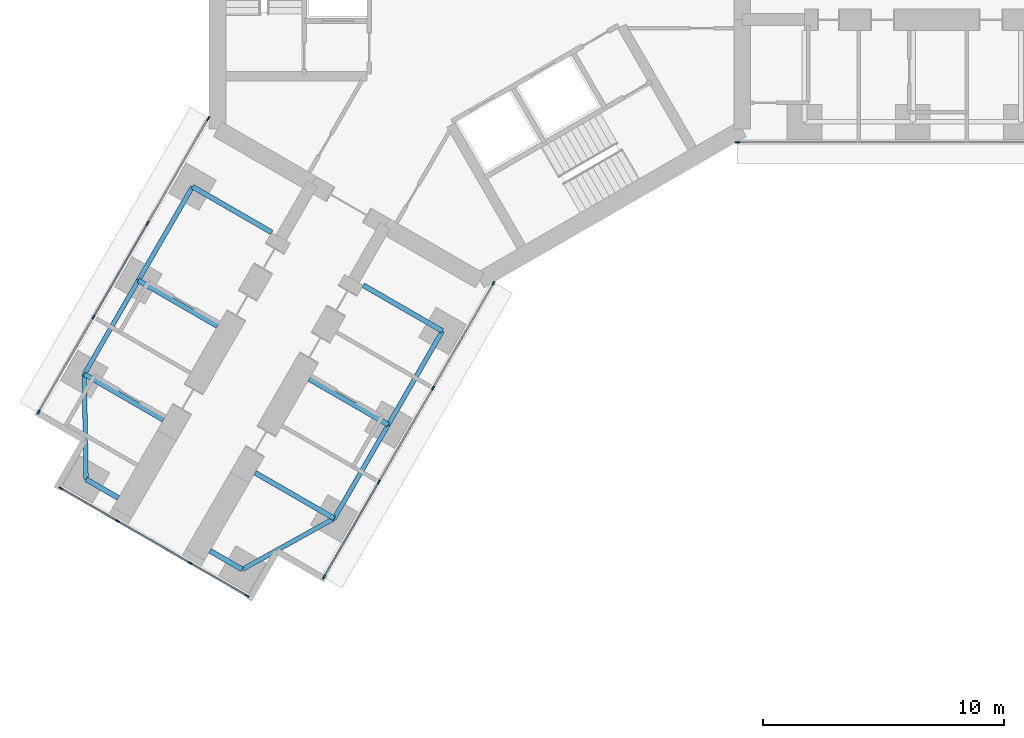
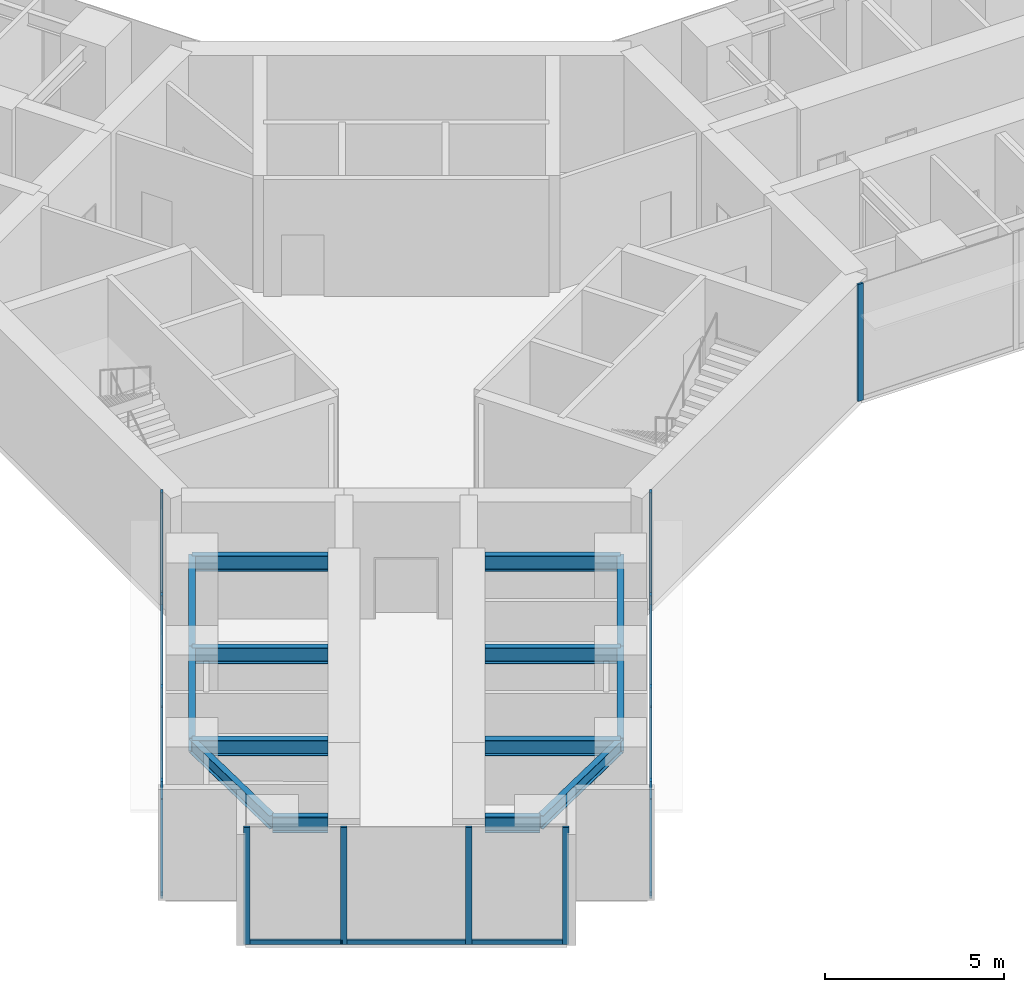
# One storey, part 2 of 24: 22 members, 14 beams, 4 elements without a shape of their own.
"""IFC4 building model written with IfcOpenShell, lengths in metres."""

import ifcopenshell
import ifcopenshell.guid

model = None  # the IFC model being written
_history = None  # IfcOwnerHistory: only IFC2X3 demands one
_inside = {}  # id of a spatial element -> (the spatial element, [elements in it])
_under = {}  # id of a project, library or spatial element -> (it, [spatial elements below it])
_declared = {}  # id of a project -> (the project, [libraries it declares])
_typed = {}  # id of a type object -> (the type object, [elements of that type])
_made_of = {}  # id of a material, layer set ... -> (it, [elements and type objects made of it])


def new_model(schema):
    """Start an empty IFC model of exactly this schema.

    Asked for "IFC4X3", IfcOpenShell would pick the latest addendum, in which some entities
    have other attributes; the version numbers below select the first issue.
    IFC2X3 requires an IfcOwnerHistory on every rooted entity: one is made here for all.
    """
    global model, _history
    if schema == "IFC4X3":
        model = ifcopenshell.file(schema_version=(4, 3, 0, 0))
    else:
        model = ifcopenshell.file(schema=schema)
    _inside.clear()
    _under.clear()
    _declared.clear()
    _typed.clear()
    _made_of.clear()
    _history = None
    if model.schema == "IFC2X3":
        org = make("IfcOrganization", Name="unknown")
        user = make(
            "IfcPersonAndOrganization",
            ThePerson=make("IfcPerson", FamilyName="unknown"),
            TheOrganization=org,
        )
        app = make(
            "IfcApplication",
            ApplicationDeveloper=org,
            Version="unknown",
            ApplicationFullName="unknown",
            ApplicationIdentifier="unknown",
        )
        _history = make(
            "IfcOwnerHistory",
            OwningUser=user,
            OwningApplication=app,
            ChangeAction="ADDED",
            CreationDate=0,
        )
    return model


def make(cls, **values):
    """One entity of the class cls with the attributes given. An attribute that is None is left unset."""
    return model.create_entity(
        cls, **{name: value for name, value in values.items() if value is not None}
    )


def rooted(cls, **values):
    """An entity with a GlobalId (a new one), such as an element, a storey or a relation."""
    return make(cls, GlobalId=ifcopenshell.guid.new(), OwnerHistory=_history, **values)


def si_unit(unit_type, name, prefix=None):
    """IfcSIUnit, for example si_unit("LENGTHUNIT", "METRE", prefix="MILLI")."""
    return make("IfcSIUnit", UnitType=unit_type, Prefix=prefix, Name=name)


def assignment(units):
    """IfcUnitAssignment: the units of a project."""
    return None if units is None else make("IfcUnitAssignment", Units=units)


def point(xyz):
    """IfcCartesianPoint."""
    return None if xyz is None else make("IfcCartesianPoint", Coordinates=xyz)


def direction(xyz):
    """IfcDirection."""
    return None if xyz is None else make("IfcDirection", DirectionRatios=xyz)


def frame(location, z_axis=None, x_axis=None):
    """IfcAxis2Placement3D, a coordinate frame: its origin and axes. An axis left out is left unset."""
    return make(
        "IfcAxis2Placement3D",
        Location=point(location),
        Axis=direction(z_axis),
        RefDirection=direction(x_axis),
    )


def frame_2d(location, x_axis=None):
    """IfcAxis2Placement2D, a coordinate frame in the plane: its origin and x axis."""
    return make(
        "IfcAxis2Placement2D", Location=point(location), RefDirection=direction(x_axis)
    )


def origin():
    """The frame at (0, 0, 0) with its axes left unset."""
    return frame((0.0, 0.0, 0.0))


def origin_2d():
    """The frame at (0, 0) in the plane with its x axis left unset."""
    return frame_2d((0.0, 0.0))


def place(relative_to, where):
    """IfcLocalPlacement: puts the frame where relative to a parent placement (None: the world)."""
    return make(
        "IfcLocalPlacement", PlacementRelTo=relative_to, RelativePlacement=where
    )


def context(
    kind, dimensions, precision=None, world=None, true_north=None, identifier=None
):
    """IfcGeometricRepresentationContext, for example the 3D "Model" context."""
    return make(
        "IfcGeometricRepresentationContext",
        ContextIdentifier=identifier,
        ContextType=kind,
        CoordinateSpaceDimension=dimensions,
        Precision=precision,
        WorldCoordinateSystem=world,
        TrueNorth=true_north,
    )


def subcontext(parent, identifier, kind, view, scale=None):
    """IfcGeometricRepresentationSubContext, for example "Body" below "Model"."""
    return make(
        "IfcGeometricRepresentationSubContext",
        ContextIdentifier=identifier,
        ContextType=kind,
        ParentContext=parent,
        TargetScale=scale,
        TargetView=view,
    )


def project(units=None, contexts=None):
    """IfcProject with its units and contexts."""
    return rooted(
        "IfcProject",
        Name="project",
        RepresentationContexts=contexts,
        UnitsInContext=assignment(units),
    )


def spatial(cls, under=None, at=None, **own):
    """A site, building, storey or space (cls), placed at a placement, below another one or the project."""
    s = rooted(cls, ObjectPlacement=at, **own)
    if under is not None:
        _under.setdefault(under.id(), (under, []))[1].append(s)
    return s


def profile(cls, at=None, kind="AREA", **sizes):
    """A parametric profile (cls). Its sizes go by their IFC names, for example OverallWidth=200.0."""
    return make(cls, ProfileType=kind, Position=at, **sizes)


def rectangle(**sizes):
    """IfcRectangleProfileDef."""
    return profile("IfcRectangleProfileDef", **sizes)


def i_section(**sizes):
    """IfcIShapeProfileDef."""
    return profile("IfcIShapeProfileDef", **sizes)


def extrude(swept, where, along, depth):
    """IfcExtrudedAreaSolid: the profile swept, set in the frame where, extruded along a direction by depth."""
    return make(
        "IfcExtrudedAreaSolid",
        SweptArea=swept,
        Position=where,
        ExtrudedDirection=direction(along),
        Depth=depth,
    )


def shape(context_of_items, identifier, shape_type, items):
    """IfcShapeRepresentation: the items that make up one representation, for example the "Body"."""
    return make(
        "IfcShapeRepresentation",
        ContextOfItems=context_of_items,
        RepresentationIdentifier=identifier,
        RepresentationType=shape_type,
        Items=items,
    )


def material(Name=None, Category=None):
    """IfcMaterial."""
    return make("IfcMaterial", Name=Name, Category=Category)


def material_profile(
    of_material, cross_section, Name=None, Category=None, Priority=None
):
    """IfcMaterialProfile: a cross section and its material."""
    return make(
        "IfcMaterialProfile",
        Name=Name,
        Material=of_material,
        Profile=cross_section,
        Priority=Priority,
        Category=Category,
    )


def profile_set(profiles, Name=None, composite=None):
    """IfcMaterialProfileSet."""
    return make(
        "IfcMaterialProfileSet",
        Name=Name,
        MaterialProfiles=profiles,
        CompositeProfile=composite,
    )


def made_of(thing, what):
    """Note that an element or type object is made of a material, layer set ...; save() writes the relation."""
    if what is not None:
        _made_of.setdefault(what.id(), (what, []))[1].append(thing)
    return thing


def type_object(cls, material=None, **own):
    """A type object (cls), such as IfcWallType, which elements share."""
    return made_of(rooted(cls, **own), material)


def element(
    cls,
    number,
    at=None,
    inside=None,
    cuts=None,
    type_object=None,
    material=None,
    context=None,
    identifier="Body",
    shape_type=None,
    held_by="IfcProductDefinitionShape",
    body=None,
    shapes=None,
    **own,
):
    """One element of the class cls, such as IfcWall. Its Tag is "e" and its number.

    at: its placement. inside: the storey or other place that contains it. cuts: it is an
    opening in that element (IfcRelVoidsElement). A single representation is given by context,
    identifier, shape_type and body (its items); several are given by shapes. held_by: the class
    of the entity that holds the representations. save() writes the other relations.
    """
    e = rooted(cls, Tag="e%d" % number, ObjectPlacement=at, **own)
    if body is not None:
        shapes = [shape(context, identifier, shape_type, body)]
    if shapes is not None:
        e.Representation = make(held_by, Representations=shapes)
    if inside is not None:
        _inside.setdefault(inside.id(), (inside, []))[1].append(e)
    if cuts is not None:
        rooted(
            "IfcRelVoidsElement", RelatingBuildingElement=cuts, RelatedOpeningElement=e
        )
    if type_object is not None:
        _typed.setdefault(type_object.id(), (type_object, []))[1].append(e)
    return made_of(e, material)


def aggregate(whole, parts):
    """IfcRelAggregates: a whole, such as a stair, and the parts it consists of."""
    return rooted("IfcRelAggregates", RelatingObject=whole, RelatedObjects=parts)


def save(model, path):
    """Write the relations noted so far, then the file.

    IfcRelAggregates (storeys below a building ...), IfcRelContainedInSpatialStructure (elements
    in a storey), IfcRelDefinesByType, IfcRelAssociatesMaterial and IfcRelDeclares: one each for
    every whole, place, type object, material and project.
    """
    for whole, parts in _under.values():
        aggregate(whole, parts)
    for where, things in _inside.values():
        rooted(
            "IfcRelContainedInSpatialStructure",
            RelatedElements=things,
            RelatingStructure=where,
        )
    for kind, things in _typed.values():
        rooted("IfcRelDefinesByType", RelatedObjects=things, RelatingType=kind)
    for what, things in _made_of.values():
        rooted("IfcRelAssociatesMaterial", RelatedObjects=things, RelatingMaterial=what)
    for by, libraries in _declared.values():
        rooted("IfcRelDeclares", RelatingContext=by, RelatedDefinitions=libraries)
    model.write(path)


model = new_model("IFC4")

# Units and contexts
model_context = context("Model", 3, precision=1e-05, world=origin(), true_north=direction((0.0, 1.0)))
body_context = subcontext(model_context, "Body", "Model", "MODEL_VIEW")
ifc_project = project(units=[si_unit("LENGTHUNIT", "METRE"), si_unit("AREAUNIT", "SQUARE_METRE"), si_unit("VOLUMEUNIT", "CUBIC_METRE"), si_unit("PLANEANGLEUNIT", "RADIAN"), si_unit("MASSUNIT", "GRAM", prefix="KILO")], contexts=[model_context])

# Site, building, storey
site_placement = place(None, origin())
site = spatial("IfcSite", under=ifc_project, at=site_placement, CompositionType="ELEMENT")
building_placement = place(site_placement, origin())
building = spatial("IfcBuilding", under=site, at=building_placement, Name="Upepo Twin Towers", CompositionType="ELEMENT")
storey_placement = place(building_placement, frame((0.0, 0.0, 60.5)))
storey = spatial("IfcBuildingStorey", under=building, at=storey_placement, Name="L14", CompositionType="ELEMENT", Elevation=60.5)

# Beams
ifc_material_1 = material(Name="Steel S355", Category="steel")
ifc_material_profile_1 = material_profile(ifc_material_1, i_section(OverallWidth=0.1904296875, OverallDepth=0.45703125, WebThickness=0.009033203125, FlangeThickness=0.014404296875, FilletRadius=0.01025390625, at=origin_2d()), Name="UB 457x191x74")
ifc_profile_set_1 = profile_set([ifc_material_profile_1], Name="Steel S355")
beam_type_1 = type_object("IfcBeamType", Name="Beam UB 457x191x74", PredefinedType="BEAM", material=ifc_profile_set_1)
beam_1_placement = place(storey_placement, frame((-1.553955078125, -14.69140625, 3.571533203125), z_axis=(-0.500013631625, -0.866017533419, 0.0), x_axis=(0.866017533419, -0.500013631625, 0.0)))
element("IfcBeam", 1, at=beam_1_placement, inside=storey, type_object=beam_type_1, Name="T1 edge beam CL 13.5-18.0", PredefinedType="BEAM", context=body_context, shape_type="SweptSolid", body=[
    extrude(i_section(OverallWidth=0.1904296875, OverallDepth=0.45703125, WebThickness=0.009033203125, FlangeThickness=0.014404296875, FilletRadius=0.01025390625, at=origin_2d()), origin(), (0.0, 0.0, 1.0), 4.499755859375),
])
beam_2_placement = place(storey_placement, frame((-3.803955078125, -18.58837890625, 3.571533203125), z_axis=(-0.499990139034, -0.866031096941, 0.0), x_axis=(0.866031096941, -0.499990139034, 0.0)))
element("IfcBeam", 2, at=beam_2_placement, inside=storey, type_object=beam_type_1, Name="T1 edge beam CL 18.0-22.5", PredefinedType="BEAM", context=body_context, shape_type="SweptSolid", body=[
    extrude(i_section(OverallWidth=0.1904296875, OverallDepth=0.45703125, WebThickness=0.009033203125, FlangeThickness=0.014404296875, FilletRadius=0.01025390625, at=origin_2d()), origin(), (0.0, 0.0, 1.0), 4.5),
])
beam_3_placement = place(storey_placement, frame((-6.053955078125, -22.485595703125, 3.571533203125), z_axis=(-0.874312600038, -0.485363242752, 0.0), x_axis=(0.485363242752, -0.874312600038, 0.0)))
element("IfcBeam", 3, at=beam_3_placement, inside=storey, type_object=beam_type_1, Name="T1 nose edge beam CL", PredefinedType="BEAM", context=body_context, shape_type="SweptSolid", body=[
    extrude(i_section(OverallWidth=0.1904296875, OverallDepth=0.45703125, WebThickness=0.009033203125, FlangeThickness=0.014404296875, FilletRadius=0.01025390625, at=origin_2d()), origin(), (0.0, 0.0, 1.0), 4.373046875),
])
beam_4_placement = place(storey_placement, frame((-11.946044921875, -8.69140625, 3.571533203125), z_axis=(-0.500013631625, -0.866017533419, 0.0), x_axis=(0.866017533419, -0.500013631625, 0.0)))
element("IfcBeam", 4, at=beam_4_placement, inside=storey, type_object=beam_type_1, Name="T1 edge beam CR 13.5-18.0", PredefinedType="BEAM", context=body_context, shape_type="SweptSolid", body=[
    extrude(i_section(OverallWidth=0.1904296875, OverallDepth=0.45703125, WebThickness=0.009033203125, FlangeThickness=0.014404296875, FilletRadius=0.01025390625, at=origin_2d()), origin(), (0.0, 0.0, 1.0), 4.499755859375),
])
beam_5_placement = place(storey_placement, frame((-14.196044921875, -12.58837890625, 3.571533203125), z_axis=(-0.499990139034, -0.866031096941, 0.0), x_axis=(0.866031096941, -0.499990139034, 0.0)))
element("IfcBeam", 5, at=beam_5_placement, inside=storey, type_object=beam_type_1, Name="T1 edge beam CR 18.0-22.5", PredefinedType="BEAM", context=body_context, shape_type="SweptSolid", body=[
    extrude(i_section(OverallWidth=0.1904296875, OverallDepth=0.45703125, WebThickness=0.009033203125, FlangeThickness=0.014404296875, FilletRadius=0.01025390625, at=origin_2d()), origin(), (0.0, 0.0, 1.0), 4.5),
])
beam_6_placement = place(storey_placement, frame((-16.446044921875, -16.485595703125, 3.571533203125), z_axis=(0.016803880528, -0.999858804832, 0.0), x_axis=(0.999858804832, 0.016803880528, 0.0)))
element("IfcBeam", 6, at=beam_6_placement, inside=storey, type_object=beam_type_1, Name="T1 nose edge beam CR", PredefinedType="BEAM", context=body_context, shape_type="SweptSolid", body=[
    extrude(i_section(OverallWidth=0.1904296875, OverallDepth=0.45703125, WebThickness=0.009033203125, FlangeThickness=0.014404296875, FilletRadius=0.01025390625, at=origin_2d()), origin(), (0.0, 0.0, 1.0), 4.373291015625),
])
ifc_material_2 = material(Name="Steel S355", Category="steel")
ifc_material_profile_2 = material_profile(ifc_material_2, i_section(OverallWidth=0.2119140625, OverallDepth=0.54443359375, WebThickness=0.0126953125, FlangeThickness=0.021240234375, FilletRadius=0.0126953125, at=origin_2d()), Name="UB 533x210x122")
ifc_profile_set_2 = profile_set([ifc_material_profile_2], Name="Steel S355")
beam_type_2 = type_object("IfcBeamType", Name="Beam UB 533x210x122", PredefinedType="BEAM", material=ifc_profile_set_2)
for number, where, z_axis, x_axis, name in (
    (7, (-9.87744140625, -24.608154296875, 3.52783203125), (-0.866043940782, 0.499967891604, 0.0), (-0.499967891604, -0.866043940782, 0.0), "T1 nose beam CL"),
    (8, (-16.37255859375, -20.858154296875, 3.52783203125), (0.866043940782, -0.499967891604, 0.0), (0.499967891604, 0.866043940782, 0.0), "T1 nose beam CR"),
):
    element("IfcBeam", number, at=place(storey_placement, frame(where, z_axis=z_axis, x_axis=x_axis)), inside=storey, type_object=beam_type_2, Name=name, PredefinedType="BEAM", context=body_context, shape_type="SweptSolid", body=[
        extrude(i_section(OverallWidth=0.2119140625, OverallDepth=0.54443359375, WebThickness=0.0126953125, FlangeThickness=0.021240234375, FilletRadius=0.0126953125, at=origin_2d()), origin(), (0.0, 0.0, 1.0), 1.5498046875),
    ])
ifc_material_3 = material(Name="Steel S355", Category="steel")
ifc_material_profile_3 = material_profile(ifc_material_3, i_section(OverallWidth=0.209228515625, OverallDepth=0.533203125, WebThickness=0.010009765625, FlangeThickness=0.015625, FilletRadius=0.0126953125, at=origin_2d()), Name="UB 533x210x92")
ifc_profile_set_3 = profile_set([ifc_material_profile_3], Name="Steel S355")
beam_type_3 = type_object("IfcBeamType", Name="Beam UB 533x210x92", PredefinedType="BEAM", material=ifc_profile_set_3)
beam_7_placement = place(storey_placement, frame((-1.553955078125, -14.69140625, 3.533447265625), z_axis=(-0.866000483506, 0.500043160704, 0.0), x_axis=(-0.500043160704, -0.866000483506, 0.0)))
element("IfcBeam", 9, at=beam_7_placement, inside=storey, type_object=beam_type_3, Name="T1 girder CL at 13.5", PredefinedType="BEAM", context=body_context, shape_type="SweptSolid", body=[
    extrude(i_section(OverallWidth=0.209228515625, OverallDepth=0.533203125, WebThickness=0.010009765625, FlangeThickness=0.015625, FilletRadius=0.0126953125, at=origin_2d()), origin(), (0.0, 0.0, 1.0), 3.800048828125),
])
for number, where, z_axis, x_axis, name in (
    (10, (-3.803955078125, -18.58837890625, 3.533447265625), (-0.866028304915, 0.499994975061, 0.0), (-0.499994975061, -0.866028304915, 0.0), "T1 girder CL at 18.0"),
    (11, (-6.053955078125, -22.485595703125, 3.533447265625), (-0.866028304915, 0.499994975061, 0.0), (-0.499994975061, -0.866028304915, 0.0), "T1 girder CL at 22.5"),
    (12, (-11.946044921875, -8.69140625, 3.533447265625), (0.866028304915, -0.499994975061, 0.0), (0.499994975061, 0.866028304915, 0.0), "T1 girder CR at 13.5"),
):
    element("IfcBeam", number, at=place(storey_placement, frame(where, z_axis=z_axis, x_axis=x_axis)), inside=storey, type_object=beam_type_3, Name=name, PredefinedType="BEAM", context=body_context, shape_type="SweptSolid", body=[
        extrude(i_section(OverallWidth=0.209228515625, OverallDepth=0.533203125, WebThickness=0.010009765625, FlangeThickness=0.015625, FilletRadius=0.0126953125, at=origin_2d()), origin(), (0.0, 0.0, 1.0), 3.7998046875),
    ])
beam_8_placement = place(storey_placement, frame((-14.196044921875, -12.58837890625, 3.533447265625), z_axis=(0.866000483506, -0.500043160704, 0.0), x_axis=(0.500043160704, 0.866000483506, 0.0)))
element("IfcBeam", 13, at=beam_8_placement, inside=storey, type_object=beam_type_3, Name="T1 girder CR at 18.0", PredefinedType="BEAM", context=body_context, shape_type="SweptSolid", body=[
    extrude(i_section(OverallWidth=0.209228515625, OverallDepth=0.533203125, WebThickness=0.010009765625, FlangeThickness=0.015625, FilletRadius=0.0126953125, at=origin_2d()), origin(), (0.0, 0.0, 1.0), 3.800048828125),
])
beam_9_placement = place(storey_placement, frame((-16.446044921875, -16.485595703125, 3.533447265625), z_axis=(0.866028304915, -0.499994975061, 0.0), x_axis=(0.499994975061, 0.866028304915, 0.0)))
element("IfcBeam", 14, at=beam_9_placement, inside=storey, type_object=beam_type_3, Name="T1 girder CR at 22.5", PredefinedType="BEAM", context=body_context, shape_type="SweptSolid", body=[
    extrude(i_section(OverallWidth=0.209228515625, OverallDepth=0.533203125, WebThickness=0.010009765625, FlangeThickness=0.015625, FilletRadius=0.0126953125, at=origin_2d()), origin(), (0.0, 0.0, 1.0), 3.7998046875),
])

# Curtain wall, member
ifc_material_4 = material(Name="Aluminium and fritted glass", Category="aluminium")
curtain_wall_type = type_object("IfcCurtainWallType", Name="Tower curtain wall TW1, fritted glass", PredefinedType="NOTDEFINED", material=ifc_material_4)
curtain_wall_1_placement = place(storey_placement, origin())
curtain_wall_1 = element("IfcCurtainWall", 15, at=curtain_wall_1_placement, inside=storey, type_object=curtain_wall_type, Name="T1 L14 wing A flank R curtain wall", PredefinedType="NOTDEFINED")
ifc_material_5 = material(Name="Aluminium mullion", Category="aluminium")
ifc_material_profile_4 = material_profile(ifc_material_5, rectangle(XDim=0.06494140625, YDim=0.179931640625, at=origin_2d()), Name="MULLION 65x180")
ifc_profile_set_4 = profile_set([ifc_material_profile_4], Name="Aluminium mullion")
member_type_1 = type_object("IfcMemberType", Name="Mullion 65x180 TW1", PredefinedType="MULLION", material=ifc_profile_set_4)
member_1_placement = place(storey_placement, frame((10.7197265625, -6.85009765625, 0.0), z_axis=(0.0, 0.0, 1.0), x_axis=(0.0, -1.0, 0.0)))
member_1 = element("IfcMember", 16, at=member_1_placement, type_object=member_type_1, Name="T1 L14 wing A flank R curtain wall mullion 4", PredefinedType="MULLION", context=body_context, shape_type="SweptSolid", body=[
    extrude(rectangle(XDim=0.06494140625, YDim=0.179931640625, at=origin_2d()), origin(), (0.0, 0.0, 1.0), 4.0),
])
aggregate(curtain_wall_1, [member_1])

# Curtain wall, members
curtain_wall_2_placement = place(storey_placement, origin())
curtain_wall_2 = element("IfcCurtainWall", 17, at=curtain_wall_2_placement, inside=storey, type_object=curtain_wall_type, Name="T1 L14 wing C flank L curtain wall", PredefinedType="NOTDEFINED")
member_2_placement = place(storey_placement, frame((0.572509765625, -12.70849609375, 0.0), z_axis=(0.0, 0.0, 1.0), x_axis=(0.866025389682, -0.500000024426, 0.0)))
member_2 = element("IfcMember", 18, at=member_2_placement, type_object=member_type_1, Name="T1 L14 wing C flank L curtain wall mullion 1", PredefinedType="MULLION", context=body_context, shape_type="SweptSolid", body=[
    extrude(rectangle(XDim=0.06494140625, YDim=0.179931640625, at=origin_2d()), origin(), (0.0, 0.0, 1.0), 4.0),
])
member_3_placement = place(storey_placement, frame((-1.942626953125, -17.06494140625, 0.0), z_axis=(0.0, 0.0, 1.0), x_axis=(0.866025389682, -0.500000024426, 0.0)))
member_3 = element("IfcMember", 19, at=member_3_placement, type_object=member_type_1, Name="T1 L14 wing C flank L curtain wall mullion 2", PredefinedType="MULLION", context=body_context, shape_type="SweptSolid", body=[
    extrude(rectangle(XDim=0.06494140625, YDim=0.179931640625, at=origin_2d()), origin(), (0.0, 0.0, 1.0), 4.0),
])
member_4_placement = place(storey_placement, frame((-4.192626953125, -20.9619140625, 0.0), z_axis=(0.0, 0.0, 1.0), x_axis=(0.866025389682, -0.500000024426, 0.0)))
member_4 = element("IfcMember", 20, at=member_4_placement, type_object=member_type_1, Name="T1 L14 wing C flank L curtain wall mullion 3", PredefinedType="MULLION", context=body_context, shape_type="SweptSolid", body=[
    extrude(rectangle(XDim=0.06494140625, YDim=0.179931640625, at=origin_2d()), origin(), (0.0, 0.0, 1.0), 4.0),
])
member_5_placement = place(storey_placement, frame((-6.4765625, -24.91748046875, 0.0), z_axis=(0.0, 0.0, 1.0), x_axis=(0.866025389682, -0.500000024426, 0.0)))
member_5 = element("IfcMember", 21, at=member_5_placement, type_object=member_type_1, Name="T1 L14 wing C flank L curtain wall mullion 4", PredefinedType="MULLION", context=body_context, shape_type="SweptSolid", body=[
    extrude(rectangle(XDim=0.06494140625, YDim=0.179931640625, at=origin_2d()), origin(), (0.0, 0.0, 1.0), 4.0),
])

curtain_wall_3_placement = place(storey_placement, origin())
curtain_wall_3 = element("IfcCurtainWall", 22, at=curtain_wall_3_placement, inside=storey, type_object=curtain_wall_type, Name="T1 L14 wing C flank R curtain wall", PredefinedType="NOTDEFINED")
member_6_placement = place(storey_placement, frame((-18.341064453125, -18.067626953125, 0.0), z_axis=(0.0, 0.0, 1.0), x_axis=(-0.866025389682, 0.500000024426, 0.0)))
member_6 = element("IfcMember", 23, at=member_6_placement, type_object=member_type_1, Name="T1 L14 wing C flank R curtain wall mullion 1", PredefinedType="MULLION", context=body_context, shape_type="SweptSolid", body=[
    extrude(rectangle(XDim=0.06494140625, YDim=0.179931640625, at=origin_2d()), origin(), (0.0, 0.0, 1.0), 4.0),
])
member_7_placement = place(storey_placement, frame((-16.057373046875, -14.112060546875, 0.0), z_axis=(0.0, 0.0, 1.0), x_axis=(-0.866025389682, 0.500000024426, 0.0)))
member_7 = element("IfcMember", 24, at=member_7_placement, type_object=member_type_1, Name="T1 L14 wing C flank R curtain wall mullion 2", PredefinedType="MULLION", context=body_context, shape_type="SweptSolid", body=[
    extrude(rectangle(XDim=0.06494140625, YDim=0.179931640625, at=origin_2d()), origin(), (0.0, 0.0, 1.0), 4.0),
])
member_8_placement = place(storey_placement, frame((-13.807373046875, -10.21484375, 0.0), z_axis=(0.0, 0.0, 1.0), x_axis=(-0.866025389682, 0.500000024426, 0.0)))
member_8 = element("IfcMember", 25, at=member_8_placement, type_object=member_type_1, Name="T1 L14 wing C flank R curtain wall mullion 3", PredefinedType="MULLION", context=body_context, shape_type="SweptSolid", body=[
    extrude(rectangle(XDim=0.06494140625, YDim=0.179931640625, at=origin_2d()), origin(), (0.0, 0.0, 1.0), 4.0),
])
member_9_placement = place(storey_placement, frame((-11.2919921875, -5.8583984375, 0.0), z_axis=(0.0, 0.0, 1.0), x_axis=(-0.866025389682, 0.500000024426, 0.0)))
member_9 = element("IfcMember", 26, at=member_9_placement, type_object=member_type_1, Name="T1 L14 wing C flank R curtain wall mullion 4", PredefinedType="MULLION", context=body_context, shape_type="SweptSolid", body=[
    extrude(rectangle(XDim=0.06494140625, YDim=0.179931640625, at=origin_2d()), origin(), (0.0, 0.0, 1.0), 4.0),
])

curtain_wall_4_placement = place(storey_placement, origin())
curtain_wall_4 = element("IfcCurtainWall", 27, at=curtain_wall_4_placement, inside=storey, type_object=curtain_wall_type, Name="T1 L14 wing C nose curtain wall", PredefinedType="NOTDEFINED")
member_10_placement = place(storey_placement, frame((-17.4189453125, -21.235595703125, 0.0), z_axis=(0.0, 0.0, 1.0), x_axis=(0.500000030502, 0.866025386174, 0.0)))
member_10 = element("IfcMember", 28, at=member_10_placement, type_object=member_type_1, Name="T1 L14 wing C nose curtain wall mullion 1", PredefinedType="MULLION", context=body_context, shape_type="SweptSolid", body=[
    extrude(rectangle(XDim=0.06494140625, YDim=0.179931640625, at=origin_2d()), origin(), (0.0, 0.0, 1.0), 4.0),
])
member_11_placement = place(storey_placement, frame((-15.0654296875, -22.59423828125, 0.0), z_axis=(0.0, 0.0, 1.0), x_axis=(0.500000030502, 0.866025386174, 0.0)))
member_11 = element("IfcMember", 29, at=member_11_placement, type_object=member_type_1, Name="T1 L14 wing C nose curtain wall mullion 2", PredefinedType="MULLION", context=body_context, shape_type="SweptSolid", body=[
    extrude(rectangle(XDim=0.06494140625, YDim=0.179931640625, at=origin_2d()), origin(), (0.0, 0.0, 1.0), 4.0),
])
member_12_placement = place(storey_placement, frame((-12.034423828125, -24.34423828125, 0.0), z_axis=(0.0, 0.0, 1.0), x_axis=(0.500000030502, 0.866025386174, 0.0)))
member_12 = element("IfcMember", 30, at=member_12_placement, type_object=member_type_1, Name="T1 L14 wing C nose curtain wall mullion 3", PredefinedType="MULLION", context=body_context, shape_type="SweptSolid", body=[
    extrude(rectangle(XDim=0.06494140625, YDim=0.179931640625, at=origin_2d()), origin(), (0.0, 0.0, 1.0), 4.0),
])
member_13_placement = place(storey_placement, frame((-9.68115234375, -25.703125, 0.0), z_axis=(0.0, 0.0, 1.0), x_axis=(0.500000030502, 0.866025386174, 0.0)))
member_13 = element("IfcMember", 31, at=member_13_placement, type_object=member_type_1, Name="T1 L14 wing C nose curtain wall mullion 4", PredefinedType="MULLION", context=body_context, shape_type="SweptSolid", body=[
    extrude(rectangle(XDim=0.06494140625, YDim=0.179931640625, at=origin_2d()), origin(), (0.0, 0.0, 1.0), 4.0),
])

# Member
ifc_material_6 = material(Name="Aluminium transom", Category="aluminium")
ifc_material_profile_5 = material_profile(ifc_material_6, rectangle(XDim=0.06494140625, YDim=0.14990234375, at=origin_2d()), Name="TRANSOM 65x150")
ifc_profile_set_5 = profile_set([ifc_material_profile_5], Name="Aluminium transom")
member_type_2 = type_object("IfcMemberType", Name="Transom 65x150 TW1", PredefinedType="USERDEFINED", material=ifc_profile_set_5)
member_14_placement = place(storey_placement, frame((0.55615234375, -12.736572265625, 0.074951171875), z_axis=(-0.499983492876, -0.866034933967, 0.0), x_axis=(0.866034933967, -0.499983492876, 0.0)))
member_14 = element("IfcMember", 32, at=member_14_placement, type_object=member_type_2, Name="T1 L14 wing C flank L curtain wall transom 1", ObjectType="TRANSOM", PredefinedType="USERDEFINED", context=body_context, shape_type="SweptSolid", body=[
    extrude(rectangle(XDim=0.06494140625, YDim=0.14990234375, at=origin_2d()), origin(), (0.0, 0.0, 1.0), 4.965576171875),
])

member_15_placement = place(storey_placement, frame((-1.958984375, -17.093017578125, 0.074951171875), z_axis=(-0.500005184116, -0.866022410713, 0.0), x_axis=(0.866022410713, -0.500005184116, 0.0)))
member_15 = element("IfcMember", 33, at=member_15_placement, type_object=member_type_2, Name="T1 L14 wing C flank L curtain wall transom 2", ObjectType="TRANSOM", PredefinedType="USERDEFINED", context=body_context, shape_type="SweptSolid", body=[
    extrude(rectangle(XDim=0.06494140625, YDim=0.14990234375, at=origin_2d()), origin(), (0.0, 0.0, 1.0), 4.43505859375),
])

member_16_placement = place(storey_placement, frame((-4.208984375, -20.990234375, 0.074951171875), z_axis=(-0.500005646842, -0.866022143554, 0.0), x_axis=(0.866022143554, -0.500005646842, 0.0)))
member_16 = element("IfcMember", 34, at=member_16_placement, type_object=member_type_2, Name="T1 L14 wing C flank L curtain wall transom 3", ObjectType="TRANSOM", PredefinedType="USERDEFINED", context=body_context, shape_type="SweptSolid", body=[
    extrude(rectangle(XDim=0.06494140625, YDim=0.14990234375, at=origin_2d()), origin(), (0.0, 0.0, 1.0), 4.50244140625),
])

aggregate(curtain_wall_2, [member_2, member_3, member_4, member_5, member_14, member_15, member_16])

member_17_placement = place(storey_placement, frame((-18.32470703125, -18.03955078125, 0.074951171875), z_axis=(0.499982167615, 0.866035699072, 0.0), x_axis=(-0.866035699072, 0.499982167615, 0.0)))
member_17 = element("IfcMember", 35, at=member_17_placement, type_object=member_type_2, Name="T1 L14 wing C flank R curtain wall transom 1", ObjectType="TRANSOM", PredefinedType="USERDEFINED", context=body_context, shape_type="SweptSolid", body=[
    extrude(rectangle(XDim=0.06494140625, YDim=0.14990234375, at=origin_2d()), origin(), (0.0, 0.0, 1.0), 4.502685546875),
])

member_18_placement = place(storey_placement, frame((-16.041015625, -14.083984375, 0.074951171875), z_axis=(0.500005184116, 0.866022410713, 0.0), x_axis=(-0.866022410713, 0.500005184116, 0.0)))
member_18 = element("IfcMember", 36, at=member_18_placement, type_object=member_type_2, Name="T1 L14 wing C flank R curtain wall transom 2", ObjectType="TRANSOM", PredefinedType="USERDEFINED", context=body_context, shape_type="SweptSolid", body=[
    extrude(rectangle(XDim=0.06494140625, YDim=0.14990234375, at=origin_2d()), origin(), (0.0, 0.0, 1.0), 4.43505859375),
])

member_19_placement = place(storey_placement, frame((-13.791015625, -10.186767578125, 0.074951171875), z_axis=(0.50000478328, 0.866022642139, 0.0), x_axis=(-0.866022642139, 0.50000478328, 0.0)))
member_19 = element("IfcMember", 37, at=member_19_placement, type_object=member_type_2, Name="T1 L14 wing C flank R curtain wall transom 3", ObjectType="TRANSOM", PredefinedType="USERDEFINED", context=body_context, shape_type="SweptSolid", body=[
    extrude(rectangle(XDim=0.06494140625, YDim=0.14990234375, at=origin_2d()), origin(), (0.0, 0.0, 1.0), 4.96533203125),
])

aggregate(curtain_wall_3, [member_6, member_7, member_8, member_9, member_17, member_18, member_19])

member_20_placement = place(storey_placement, frame((-17.390869140625, -21.251708984375, 0.074951171875), z_axis=(0.865997053448, -0.500049101008, 0.0), x_axis=(0.500049101008, 0.865997053448, 0.0)))
member_20 = element("IfcMember", 38, at=member_20_placement, type_object=member_type_2, Name="T1 L14 wing C nose curtain wall transom 1", ObjectType="TRANSOM", PredefinedType="USERDEFINED", context=body_context, shape_type="SweptSolid", body=[
    extrude(rectangle(XDim=0.06494140625, YDim=0.14990234375, at=origin_2d()), origin(), (0.0, 0.0, 1.0), 2.652587890625),
])

member_21_placement = place(storey_placement, frame((-15.037353515625, -22.610595703125, 0.074951171875), z_axis=(0.866025804792, -0.499999305434, 0.0), x_axis=(0.499999305434, 0.866025804792, 0.0)))
member_21 = element("IfcMember", 39, at=member_21_placement, type_object=member_type_2, Name="T1 L14 wing C nose curtain wall transom 2", ObjectType="TRANSOM", PredefinedType="USERDEFINED", context=body_context, shape_type="SweptSolid", body=[
    extrude(rectangle(XDim=0.06494140625, YDim=0.14990234375, at=origin_2d()), origin(), (0.0, 0.0, 1.0), 3.43505859375),
])

member_22_placement = place(storey_placement, frame((-12.00634765625, -24.360595703125, 0.074951171875), z_axis=(0.866036909293, -0.499980071345, 0.0), x_axis=(0.499980071345, 0.866036909293, 0.0)))
member_22 = element("IfcMember", 40, at=member_22_placement, type_object=member_type_2, Name="T1 L14 wing C nose curtain wall transom 3", ObjectType="TRANSOM", PredefinedType="USERDEFINED", context=body_context, shape_type="SweptSolid", body=[
    extrude(rectangle(XDim=0.06494140625, YDim=0.14990234375, at=origin_2d()), origin(), (0.0, 0.0, 1.0), 2.65234375),
])

aggregate(curtain_wall_4, [member_10, member_11, member_12, member_13, member_20, member_21, member_22])

save(model, "model.ifc")
